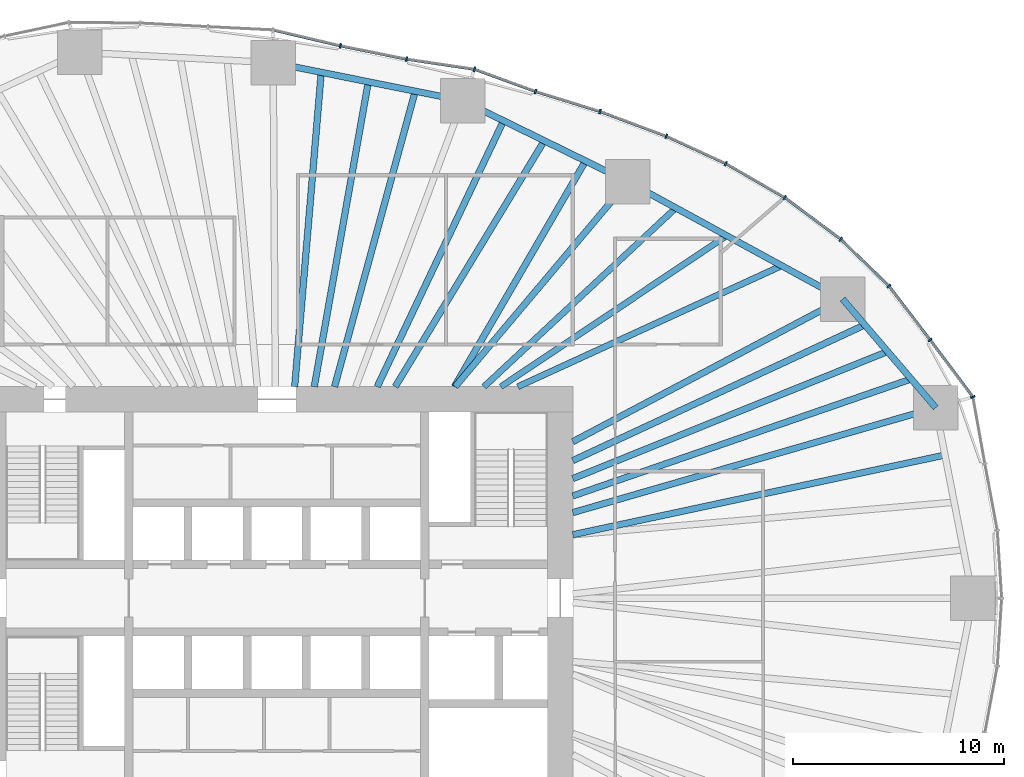
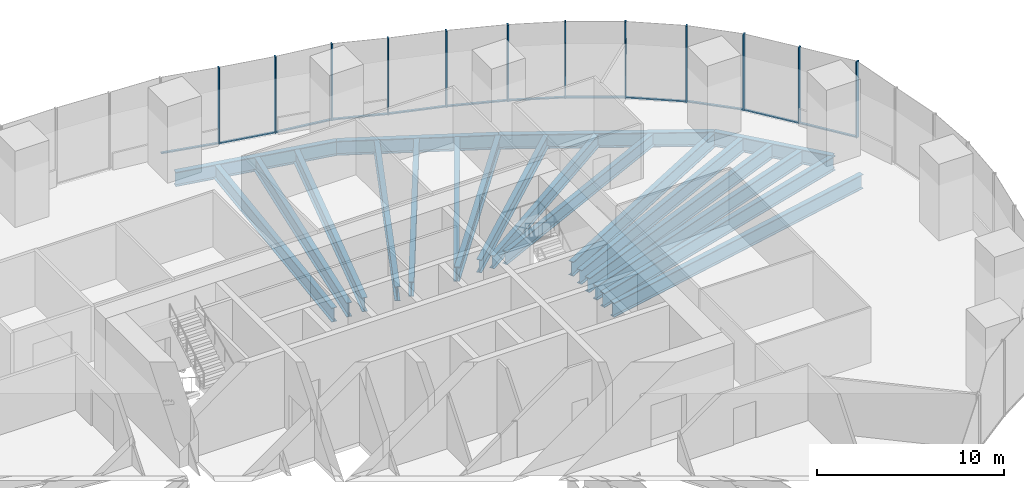
# One storey, part 6 of 20: 24 members, 20 beams, 4 elements without a shape of their own.
"""IFC4 building model written with IfcOpenShell, lengths in metres."""

from ifc_helpers import new_model, si_unit, direction, frame, origin, origin_2d, place, context, subcontext, project, spatial, rectangle, i_section, extrude, material, material_profile, profile_set, type_object, element, aggregate, save


model = new_model("IFC4")

# Units and contexts
model_context = context("Model", 3, precision=1e-05, world=origin(), true_north=direction((0.0, 1.0)))
body_context = subcontext(model_context, "Body", "Model", "MODEL_VIEW")
ifc_project = project(units=[si_unit("LENGTHUNIT", "METRE"), si_unit("AREAUNIT", "SQUARE_METRE"), si_unit("VOLUMEUNIT", "CUBIC_METRE"), si_unit("PLANEANGLEUNIT", "RADIAN"), si_unit("MASSUNIT", "GRAM", prefix="KILO")], contexts=[model_context])

# Site, building, storey
site_placement = place(None, origin())
site = spatial("IfcSite", under=ifc_project, at=site_placement, CompositionType="ELEMENT")
building_placement = place(site_placement, origin())
building = spatial("IfcBuilding", under=site, at=building_placement, Name="Ghaith Harvest Tower", CompositionType="ELEMENT")
storey_placement = place(building_placement, frame((0.0, 0.0, 40.0)))
storey = spatial("IfcBuildingStorey", under=building, at=storey_placement, Name="L08", CompositionType="ELEMENT", Elevation=40.0)

# Curtain wall, members
ifc_material_1 = material(Name="Black anodised aluminium and fritted glass", Category="aluminium")
curtain_wall_type = type_object("IfcCurtainWallType", Name="CW-F CURTAIN WALL", PredefinedType="NOTDEFINED", material=ifc_material_1)
curtain_wall_1_placement = place(storey_placement, origin())
curtain_wall_1 = element("IfcCurtainWall", 1, at=curtain_wall_1_placement, inside=storey, type_object=curtain_wall_type, Name="Curtain wall CW-F bay 02 L08", PredefinedType="NOTDEFINED")
ifc_material_2 = material(Name="Aluminium, black anodised", Category="aluminium")
ifc_material_profile_1 = material_profile(ifc_material_2, rectangle(XDim=0.080078125, YDim=0.219970703125, at=origin_2d()), Name="CW-F MULLION 80x220")
ifc_profile_set_1 = profile_set([ifc_material_profile_1], Name="Aluminium, black anodised")
member_type_1 = type_object("IfcMemberType", Name="CW-F MULLION 80x220", PredefinedType="MULLION", material=ifc_profile_set_1)
member_1_placement = place(storey_placement, frame((32.923583984375, 9.515625, 0.0), z_axis=(0.0, 0.0, 1.0), x_axis=(-0.404701693729, 0.914448762421, 0.0)))
member_1 = element("IfcMember", 2, at=member_1_placement, type_object=member_type_1, Name="CW-F mullion 1 bay 02 L08", PredefinedType="MULLION", context=body_context, shape_type="SweptSolid", body=[
    extrude(rectangle(XDim=0.080078125, YDim=0.219970703125, at=origin_2d()), origin(), (0.0, 0.0, 1.0), 5.0),
])
member_2_placement = place(storey_placement, frame((30.896728515625, 12.215087890625, 0.0), z_axis=(0.0, 0.0, 1.0), x_axis=(-0.603948315345, 0.797023482961, 0.0)))
member_2 = element("IfcMember", 3, at=member_2_placement, type_object=member_type_1, Name="CW-F mullion 2 bay 02 L08", PredefinedType="MULLION", context=body_context, shape_type="SweptSolid", body=[
    extrude(rectangle(XDim=0.080078125, YDim=0.219970703125, at=origin_2d()), origin(), (0.0, 0.0, 1.0), 5.0),
])
member_3_placement = place(storey_placement, frame((28.947021484375, 14.763427734375, 0.0), z_axis=(0.0, 0.0, 1.0), x_axis=(-0.663604797296, 0.748083332929, 0.0)))
member_3 = element("IfcMember", 4, at=member_3_placement, type_object=member_type_1, Name="CW-F mullion 3 bay 02 L08", PredefinedType="MULLION", context=body_context, shape_type="SweptSolid", body=[
    extrude(rectangle(XDim=0.080078125, YDim=0.219970703125, at=origin_2d()), origin(), (0.0, 0.0, 1.0), 5.0),
])

curtain_wall_2_placement = place(storey_placement, origin())
curtain_wall_2 = element("IfcCurtainWall", 5, at=curtain_wall_2_placement, inside=storey, type_object=curtain_wall_type, Name="Curtain wall CW-F bay 03 L08", PredefinedType="NOTDEFINED")
member_4_placement = place(storey_placement, frame((26.673828125, 16.9755859375, 0.0), z_axis=(0.0, 0.0, 1.0), x_axis=(-0.762365981091, 0.647146127915, 0.0)))
member_4 = element("IfcMember", 6, at=member_4_placement, type_object=member_type_1, Name="CW-F mullion 1 bay 03 L08", PredefinedType="MULLION", context=body_context, shape_type="SweptSolid", body=[
    extrude(rectangle(XDim=0.080078125, YDim=0.219970703125, at=origin_2d()), origin(), (0.0, 0.0, 1.0), 5.0),
])
member_5_placement = place(storey_placement, frame((24.018310546875, 18.947265625, 0.0), z_axis=(0.0, 0.0, 1.0), x_axis=(-0.835443516723, 0.549576318963, 0.0)))
member_5 = element("IfcMember", 7, at=member_5_placement, type_object=member_type_1, Name="CW-F mullion 2 bay 03 L08", PredefinedType="MULLION", context=body_context, shape_type="SweptSolid", body=[
    extrude(rectangle(XDim=0.080078125, YDim=0.219970703125, at=origin_2d()), origin(), (0.0, 0.0, 1.0), 5.0),
])
member_6_placement = place(storey_placement, frame((21.2353515625, 20.552978515625, 0.0), z_axis=(0.0, 0.0, 1.0), x_axis=(-0.887896671642, 0.460042933308, 0.0)))
member_6 = element("IfcMember", 8, at=member_6_placement, type_object=member_type_1, Name="CW-F mullion 3 bay 03 L08", PredefinedType="MULLION", context=body_context, shape_type="SweptSolid", body=[
    extrude(rectangle(XDim=0.080078125, YDim=0.219970703125, at=origin_2d()), origin(), (0.0, 0.0, 1.0), 5.0),
])

curtain_wall_3_placement = place(storey_placement, origin())
curtain_wall_3 = element("IfcCurtainWall", 9, at=curtain_wall_3_placement, inside=storey, type_object=curtain_wall_type, Name="Curtain wall CW-F bay 04 L08", PredefinedType="NOTDEFINED")
member_7_placement = place(storey_placement, frame((18.422607421875, 21.8466796875, 0.0), z_axis=(0.0, 0.0, 1.0), x_axis=(-0.923910199252, 0.382609387912, 0.0)))
member_7 = element("IfcMember", 10, at=member_7_placement, type_object=member_type_1, Name="CW-F mullion 1 bay 04 L08", PredefinedType="MULLION", context=body_context, shape_type="SweptSolid", body=[
    extrude(rectangle(XDim=0.080078125, YDim=0.219970703125, at=origin_2d()), origin(), (0.0, 0.0, 1.0), 5.0),
])
member_8_placement = place(storey_placement, frame((15.28759765625, 23.01611328125, 0.0), z_axis=(0.0, 0.0, 1.0), x_axis=(-0.946121020954, 0.323813238933, 0.0)))
member_8 = element("IfcMember", 11, at=member_8_placement, type_object=member_type_1, Name="CW-F mullion 2 bay 04 L08", PredefinedType="MULLION", context=body_context, shape_type="SweptSolid", body=[
    extrude(rectangle(XDim=0.080078125, YDim=0.219970703125, at=origin_2d()), origin(), (0.0, 0.0, 1.0), 5.0),
])
member_9_placement = place(storey_placement, frame((12.234375, 23.964599609375, 0.0), z_axis=(0.0, 0.0, 1.0), x_axis=(-0.947653438436, 0.319300736957, 0.0)))
member_9 = element("IfcMember", 12, at=member_9_placement, type_object=member_type_1, Name="CW-F mullion 3 bay 04 L08", PredefinedType="MULLION", context=body_context, shape_type="SweptSolid", body=[
    extrude(rectangle(XDim=0.080078125, YDim=0.219970703125, at=origin_2d()), origin(), (0.0, 0.0, 1.0), 5.0),
])

curtain_wall_4_placement = place(storey_placement, origin())
curtain_wall_4 = element("IfcCurtainWall", 13, at=curtain_wall_4_placement, inside=storey, type_object=curtain_wall_type, Name="Curtain wall CW-F bay 05 L08", PredefinedType="NOTDEFINED")
member_10_placement = place(storey_placement, frame((9.351806640625, 25.01611328125, 0.0), z_axis=(0.0, 0.0, 1.0), x_axis=(-0.969903429236, 0.243489913461, 0.0)))
member_10 = element("IfcMember", 14, at=member_10_placement, type_object=member_type_1, Name="CW-F mullion 1 bay 05 L08", PredefinedType="MULLION", context=body_context, shape_type="SweptSolid", body=[
    extrude(rectangle(XDim=0.080078125, YDim=0.219970703125, at=origin_2d()), origin(), (0.0, 0.0, 1.0), 5.0),
])
member_11_placement = place(storey_placement, frame((6.136962890625, 25.495361328125, 0.0), z_axis=(0.0, 0.0, 1.0), x_axis=(-0.985103843977, 0.171960508788, 0.0)))
member_11 = element("IfcMember", 15, at=member_11_placement, type_object=member_type_1, Name="CW-F mullion 2 bay 05 L08", PredefinedType="MULLION", context=body_context, shape_type="SweptSolid", body=[
    extrude(rectangle(XDim=0.080078125, YDim=0.219970703125, at=origin_2d()), origin(), (0.0, 0.0, 1.0), 5.0),
])
member_12_placement = place(storey_placement, frame((3.00927734375, 26.123291015625, 0.0), z_axis=(0.0, 0.0, 1.0), x_axis=(-0.976927332869, 0.213571969822, 0.0)))
member_12 = element("IfcMember", 16, at=member_12_placement, type_object=member_type_1, Name="CW-F mullion 3 bay 05 L08", PredefinedType="MULLION", context=body_context, shape_type="SweptSolid", body=[
    extrude(rectangle(XDim=0.080078125, YDim=0.219970703125, at=origin_2d()), origin(), (0.0, 0.0, 1.0), 5.0),
])

# Member
ifc_material_3 = material(Name="Aluminium, black anodised", Category="aluminium")
ifc_material_profile_2 = material_profile(ifc_material_3, rectangle(XDim=0.139892578125, YDim=0.080078125, at=origin_2d()), Name="CW-F TRANSOM 140x80")
ifc_profile_set_2 = profile_set([ifc_material_profile_2], Name="Aluminium, black anodised")
member_type_2 = type_object("IfcMemberType", Name="CW-F TRANSOM 140x80", PredefinedType="USERDEFINED", material=ifc_profile_set_2)
member_13_placement = place(storey_placement, frame((32.899658203125, 9.547607421875, 0.0400390625), z_axis=(-0.600462135687, 0.799653189581, 0.0), x_axis=(-0.799653189581, -0.600462135687, 0.0)))
member_13 = element("IfcMember", 17, at=member_13_placement, type_object=member_type_2, Name="CW-F transom 1 bay 02 L08", ObjectType="TRANSOM", PredefinedType="USERDEFINED", context=body_context, shape_type="SweptSolid", body=[
    extrude(rectangle(XDim=0.139892578125, YDim=0.080078125, at=origin_2d()), origin(), (0.0, 0.0, 1.0), 3.2958984375),
])

member_14_placement = place(storey_placement, frame((30.87255859375, 12.246826171875, 0.0400390625), z_axis=(-0.607638356471, 0.794213842579, 0.0), x_axis=(-0.794213842579, -0.607638356471, 0.0)))
member_14 = element("IfcMember", 18, at=member_14_placement, type_object=member_type_2, Name="CW-F transom 2 bay 02 L08", ObjectType="TRANSOM", PredefinedType="USERDEFINED", context=body_context, shape_type="SweptSolid", body=[
    extrude(rectangle(XDim=0.139892578125, YDim=0.080078125, at=origin_2d()), origin(), (0.0, 0.0, 1.0), 3.128662109375),
])

member_15_placement = place(storey_placement, frame((28.91845703125, 14.791259765625, 0.0400390625), z_axis=(-0.71671313139, 0.697368114623, 0.0), x_axis=(-0.697368114623, -0.71671313139, 0.0)))
member_15 = element("IfcMember", 19, at=member_15_placement, type_object=member_type_2, Name="CW-F transom 3 bay 02 L08", ObjectType="TRANSOM", PredefinedType="USERDEFINED", context=body_context, shape_type="SweptSolid", body=[
    extrude(rectangle(XDim=0.139892578125, YDim=0.080078125, at=origin_2d()), origin(), (0.0, 0.0, 1.0), 3.092041015625),
])

aggregate(curtain_wall_1, [member_1, member_13, member_2, member_14, member_3, member_15])

member_16_placement = place(storey_placement, frame((26.641845703125, 16.999267578125, 0.0400390625), z_axis=(-0.802877287823, 0.596144328748, 0.0), x_axis=(-0.596144328748, -0.802877287823, 0.0)))
member_16 = element("IfcMember", 20, at=member_16_placement, type_object=member_type_2, Name="CW-F transom 1 bay 03 L08", ObjectType="TRANSOM", PredefinedType="USERDEFINED", context=body_context, shape_type="SweptSolid", body=[
    extrude(rectangle(XDim=0.139892578125, YDim=0.080078125, at=origin_2d()), origin(), (0.0, 0.0, 1.0), 3.2275390625),
])

member_17_placement = place(storey_placement, frame((23.983642578125, 18.96728515625, 0.0400390625), z_axis=(-0.866168719914, 0.499751686983, 0.0), x_axis=(-0.499751686983, -0.866168719914, 0.0)))
member_17 = element("IfcMember", 21, at=member_17_placement, type_object=member_type_2, Name="CW-F transom 2 bay 03 L08", ObjectType="TRANSOM", PredefinedType="USERDEFINED", context=body_context, shape_type="SweptSolid", body=[
    extrude(rectangle(XDim=0.139892578125, YDim=0.080078125, at=origin_2d()), origin(), (0.0, 0.0, 1.0), 3.1328125),
])

member_18_placement = place(storey_placement, frame((21.19921875, 20.56982421875, 0.0400390625), z_axis=(-0.908553137239, 0.417769310521, 0.0), x_axis=(-0.417769310521, -0.908553137239, 0.0)))
member_18 = element("IfcMember", 22, at=member_18_placement, type_object=member_type_2, Name="CW-F transom 3 bay 03 L08", ObjectType="TRANSOM", PredefinedType="USERDEFINED", context=body_context, shape_type="SweptSolid", body=[
    extrude(rectangle(XDim=0.139892578125, YDim=0.080078125, at=origin_2d()), origin(), (0.0, 0.0, 1.0), 3.01611328125),
])

aggregate(curtain_wall_2, [member_4, member_16, member_5, member_17, member_6, member_18])

member_19_placement = place(storey_placement, frame((18.385009765625, 21.860595703125, 0.0400390625), z_axis=(-0.936923785579, 0.349533717996, 0.0), x_axis=(-0.349533717996, -0.936923785579, 0.0)))
member_19 = element("IfcMember", 23, at=member_19_placement, type_object=member_type_2, Name="CW-F transom 1 bay 04 L08", ObjectType="TRANSOM", PredefinedType="USERDEFINED", context=body_context, shape_type="SweptSolid", body=[
    extrude(rectangle(XDim=0.139892578125, YDim=0.080078125, at=origin_2d()), origin(), (0.0, 0.0, 1.0), 3.26611328125),
])

member_20_placement = place(storey_placement, frame((15.249267578125, 23.028076171875, 0.0400390625), z_axis=(-0.954998362353, 0.296611071781, 0.0), x_axis=(-0.296611071781, -0.954998362353, 0.0)))
member_20 = element("IfcMember", 24, at=member_20_placement, type_object=member_type_2, Name="CW-F transom 2 bay 04 L08", ObjectType="TRANSOM", PredefinedType="USERDEFINED", context=body_context, shape_type="SweptSolid", body=[
    extrude(rectangle(XDim=0.139892578125, YDim=0.080078125, at=origin_2d()), origin(), (0.0, 0.0, 1.0), 3.1171875),
])

member_21_placement = place(storey_placement, frame((12.19677734375, 23.978271484375, 0.0400390625), z_axis=(-0.939437502081, 0.342720264478, 0.0), x_axis=(-0.342720264478, -0.939437502081, 0.0)))
member_21 = element("IfcMember", 25, at=member_21_placement, type_object=member_type_2, Name="CW-F transom 3 bay 04 L08", ObjectType="TRANSOM", PredefinedType="USERDEFINED", context=body_context, shape_type="SweptSolid", body=[
    extrude(rectangle(XDim=0.139892578125, YDim=0.080078125, at=origin_2d()), origin(), (0.0, 0.0, 1.0), 2.98828125),
])

aggregate(curtain_wall_3, [member_7, member_19, member_8, member_20, member_9, member_21])

member_22_placement = place(storey_placement, frame((9.312255859375, 25.02197265625, 0.0400390625), z_axis=(-0.989078238205, 0.147391447207, 0.0), x_axis=(-0.147391447207, -0.989078238205, 0.0)))
member_22 = element("IfcMember", 26, at=member_22_placement, type_object=member_type_2, Name="CW-F transom 1 bay 05 L08", ObjectType="TRANSOM", PredefinedType="USERDEFINED", context=body_context, shape_type="SweptSolid", body=[
    extrude(rectangle(XDim=0.139892578125, YDim=0.080078125, at=origin_2d()), origin(), (0.0, 0.0, 1.0), 3.17041015625),
])

member_23_placement = place(storey_placement, frame((6.097900390625, 25.503173828125, 0.0400390625), z_axis=(-0.980432471193, 0.196855707129, 0.0), x_axis=(-0.196855707129, -0.980432471193, 0.0)))
member_23 = element("IfcMember", 27, at=member_23_placement, type_object=member_type_2, Name="CW-F transom 2 bay 05 L08", ObjectType="TRANSOM", PredefinedType="USERDEFINED", context=body_context, shape_type="SweptSolid", body=[
    extrude(rectangle(XDim=0.139892578125, YDim=0.080078125, at=origin_2d()), origin(), (0.0, 0.0, 1.0), 3.1103515625),
])

member_24_placement = place(storey_placement, frame((2.97021484375, 26.132568359375, 0.0400390625), z_axis=(-0.973252867589, 0.229736491942, 0.0), x_axis=(-0.229736491942, -0.973252867589, 0.0)))
member_24 = element("IfcMember", 28, at=member_24_placement, type_object=member_type_2, Name="CW-F transom 3 bay 05 L08", ObjectType="TRANSOM", PredefinedType="USERDEFINED", context=body_context, shape_type="SweptSolid", body=[
    extrude(rectangle(XDim=0.139892578125, YDim=0.080078125, at=origin_2d()), origin(), (0.0, 0.0, 1.0), 3.200927734375),
])

aggregate(curtain_wall_4, [member_10, member_22, member_11, member_23, member_12, member_24])

# Beams
ifc_material_4 = material(Name="Steel ASTM A992 Grade 50", Category="steel")
ifc_material_profile_3 = material_profile(ifc_material_4, i_section(OverallWidth=0.306884765625, OverallDepth=0.94189453125, WebThickness=0.022216796875, FlangeThickness=0.039794921875, at=origin_2d()), Name="W920X345")
ifc_profile_set_3 = profile_set([ifc_material_profile_3], Name="Steel ASTM A992 Grade 50")
beam_type_1 = type_object("IfcBeamType", Name="E920-345 W920X345", PredefinedType="SPANDREL", material=ifc_profile_set_3)
beam_1_placement = place(storey_placement, frame((31.166015625, 9.008056640625, -0.6708984375), z_axis=(-0.65056255283, 0.759452674533, 0.0), x_axis=(-0.759452674533, -0.65056255283, 0.0)))
element("IfcBeam", 29, at=beam_1_placement, inside=storey, type_object=beam_type_1, Name="Edge beam E02 L08", PredefinedType="SPANDREL", context=body_context, shape_type="SweptSolid", body=[
    extrude(i_section(OverallWidth=0.306884765625, OverallDepth=0.94189453125, WebThickness=0.022216796875, FlangeThickness=0.039794921875, at=origin_2d()), origin(), (0.0, 0.0, 1.0), 6.7666015625),
])
beam_2_placement = place(storey_placement, frame((26.763916015625, 14.14697265625, -0.6708984375), z_axis=(-0.877588218279, 0.479415184509, 0.0), x_axis=(-0.479415184509, -0.877588218279, 0.0)))
element("IfcBeam", 30, at=beam_2_placement, inside=storey, type_object=beam_type_1, Name="Edge beam E03 L08", PredefinedType="SPANDREL", context=body_context, shape_type="SweptSolid", body=[
    extrude(i_section(OverallWidth=0.306884765625, OverallDepth=0.94189453125, WebThickness=0.022216796875, FlangeThickness=0.039794921875, at=origin_2d()), origin(), (0.0, 0.0, 1.0), 11.57275390625),
])
beam_3_placement = place(storey_placement, frame((16.60791015625, 19.695068359375, -0.6708984375), z_axis=(-0.897823733825, 0.440355019252, 0.0), x_axis=(-0.440355019252, -0.897823733825, 0.0)))
element("IfcBeam", 31, at=beam_3_placement, inside=storey, type_object=beam_type_1, Name="Edge beam E04 L08", PredefinedType="SPANDREL", context=body_context, shape_type="SweptSolid", body=[
    extrude(i_section(OverallWidth=0.306884765625, OverallDepth=0.94189453125, WebThickness=0.022216796875, FlangeThickness=0.039794921875, at=origin_2d()), origin(), (0.0, 0.0, 1.0), 8.7021484375),
])
beam_4_placement = place(storey_placement, frame((8.794921875, 23.527099609375, -0.6708984375), z_axis=(-0.980450082464, 0.196767974517, 0.0), x_axis=(-0.196767974517, -0.980450082464, 0.0)))
element("IfcBeam", 32, at=beam_4_placement, inside=storey, type_object=beam_type_1, Name="Edge beam E05 L08", PredefinedType="SPANDREL", context=body_context, shape_type="SweptSolid", body=[
    extrude(i_section(OverallWidth=0.306884765625, OverallDepth=0.94189453125, WebThickness=0.022216796875, FlangeThickness=0.039794921875, at=origin_2d()), origin(), (0.0, 0.0, 1.0), 9.146728515625),
])
ifc_material_5 = material(Name="Steel ASTM A992 Grade 50", Category="steel")
ifc_material_profile_4 = material_profile(ifc_material_5, i_section(OverallWidth=0.306884765625, OverallDepth=0.94189453125, WebThickness=0.022216796875, FlangeThickness=0.039794921875, at=origin_2d()), Name="W920X345")
ifc_profile_set_4 = profile_set([ifc_material_profile_4], Name="Steel ASTM A992 Grade 50")
beam_type_2 = type_object("IfcBeamType", Name="G920-345 W920X345", PredefinedType="BEAM", material=ifc_profile_set_4)
beam_5_placement = place(storey_placement, frame((14.0, 4.04638671875, -0.6708984375), z_axis=(0.960675395102, 0.277673882903, 0.0), x_axis=(-0.277673882903, 0.960675395102, 0.0)))
element("IfcBeam", 33, at=beam_5_placement, inside=storey, type_object=beam_type_2, Name="Radial girder G02 L08", PredefinedType="BEAM", context=body_context, shape_type="SweptSolid", body=[
    extrude(i_section(OverallWidth=0.306884765625, OverallDepth=0.94189453125, WebThickness=0.022216796875, FlangeThickness=0.039794921875, at=origin_2d()), origin(), (0.0, 0.0, 1.0), 17.86865234375),
])
beam_6_placement = place(storey_placement, frame((14.0, 7.39990234375, -0.6708984375), z_axis=(0.884082663971, 0.467330550324, 0.0), x_axis=(-0.467330550324, 0.884082663971, 0.0)))
element("IfcBeam", 34, at=beam_6_placement, inside=storey, type_object=beam_type_2, Name="Radial girder G03 L08", PredefinedType="BEAM", context=body_context, shape_type="SweptSolid", body=[
    extrude(i_section(OverallWidth=0.306884765625, OverallDepth=0.94189453125, WebThickness=0.022216796875, FlangeThickness=0.039794921875, at=origin_2d()), origin(), (0.0, 0.0, 1.0), 14.4375),
])
beam_7_placement = place(storey_placement, frame((8.4326171875, 10.0, -0.6708984375), z_axis=(0.644644245772, 0.764482698557, 0.0), x_axis=(-0.764482698557, 0.644644245772, 0.0)))
element("IfcBeam", 35, at=beam_7_placement, inside=storey, type_object=beam_type_2, Name="Radial girder G04 L08", PredefinedType="BEAM", context=body_context, shape_type="SweptSolid", body=[
    extrude(i_section(OverallWidth=0.306884765625, OverallDepth=0.94189453125, WebThickness=0.022216796875, FlangeThickness=0.039794921875, at=origin_2d()), origin(), (0.0, 0.0, 1.0), 12.681884765625),
])
ifc_material_6 = material(Name="Steel ASTM A992 Grade 50", Category="steel")
ifc_material_profile_5 = material_profile(ifc_material_6, i_section(OverallWidth=0.2939453125, OverallDepth=0.85107421875, WebThickness=0.01611328125, FlangeThickness=0.02685546875, at=origin_2d()), Name="W840X226")
ifc_profile_set_5 = profile_set([ifc_material_profile_5], Name="Steel ASTM A992 Grade 50")
beam_type_3 = type_object("IfcBeamType", Name="J840-226 W840X226", PredefinedType="JOIST", material=ifc_profile_set_5)
beam_8_placement = place(storey_placement, frame((11.39990234375, 10.0, -0.62548828125), z_axis=(0.909014022454, 0.416765529983, 0.0), x_axis=(-0.416765529983, 0.909014022454, 0.0)))
element("IfcBeam", 36, at=beam_8_placement, inside=storey, type_object=beam_type_3, Name="Joist J03.1 L08", PredefinedType="JOIST", context=body_context, shape_type="SweptSolid", body=[
    extrude(i_section(OverallWidth=0.2939453125, OverallDepth=0.85107421875, WebThickness=0.01611328125, FlangeThickness=0.02685546875, at=origin_2d()), origin(), (0.0, 0.0, 1.0), 13.72998046875),
])
beam_9_placement = place(storey_placement, frame((10.60009765625, 10.0, -0.62548828125), z_axis=(0.831116486766, 0.556098359489, 0.0), x_axis=(-0.556098359489, 0.831116486766, 0.0)))
element("IfcBeam", 37, at=beam_9_placement, inside=storey, type_object=beam_type_3, Name="Joist J03.2 L08", PredefinedType="JOIST", context=body_context, shape_type="SweptSolid", body=[
    extrude(i_section(OverallWidth=0.2939453125, OverallDepth=0.85107421875, WebThickness=0.01611328125, FlangeThickness=0.02685546875, at=origin_2d()), origin(), (0.0, 0.0, 1.0), 12.84716796875),
])
beam_10_placement = place(storey_placement, frame((9.800048828125, 10.0, -0.62548828125), z_axis=(0.731538123562, 0.681800538116, 0.0), x_axis=(-0.681800538116, 0.731538123562, 0.0)))
element("IfcBeam", 38, at=beam_10_placement, inside=storey, type_object=beam_type_3, Name="Joist J03.3 L08", PredefinedType="JOIST", context=body_context, shape_type="SweptSolid", body=[
    extrude(i_section(OverallWidth=0.2939453125, OverallDepth=0.85107421875, WebThickness=0.01611328125, FlangeThickness=0.02685546875, at=origin_2d()), origin(), (0.0, 0.0, 1.0), 12.404052734375),
])
ifc_material_7 = material(Name="Steel ASTM A992 Grade 50", Category="steel")
ifc_material_profile_6 = material_profile(ifc_material_7, i_section(OverallWidth=0.31005859375, OverallDepth=0.927001953125, WebThickness=0.019287109375, FlangeThickness=0.031982421875, at=origin_2d()), Name="W920X289")
ifc_profile_set_6 = profile_set([ifc_material_profile_6], Name="Steel ASTM A992 Grade 50")
beam_type_4 = type_object("IfcBeamType", Name="J920-289 W920X289", PredefinedType="JOIST", material=ifc_profile_set_6)
beam_11_placement = place(storey_placement, frame((14.0, 6.506103515625, -0.66357421875), z_axis=(0.906862619792, 0.421426374144, 0.0), x_axis=(-0.421426374144, 0.906862619792, 0.0)))
element("IfcBeam", 39, at=beam_11_placement, inside=storey, type_object=beam_type_4, Name="Joist J02.3 L08", PredefinedType="JOIST", context=body_context, shape_type="SweptSolid", body=[
    extrude(i_section(OverallWidth=0.31005859375, OverallDepth=0.927001953125, WebThickness=0.019287109375, FlangeThickness=0.031982421875, at=origin_2d()), origin(), (0.0, 0.0, 1.0), 15.229736328125),
])
beam_12_placement = place(storey_placement, frame((8.39990234375, 10.0, -0.66357421875), z_axis=(0.50228574324, 0.864701701246, 0.0), x_axis=(-0.864701701246, 0.50228574324, 0.0)))
element("IfcBeam", 40, at=beam_12_placement, inside=storey, type_object=beam_type_4, Name="Joist J04.1 L08", PredefinedType="JOIST", context=body_context, shape_type="SweptSolid", body=[
    extrude(i_section(OverallWidth=0.31005859375, OverallDepth=0.927001953125, WebThickness=0.019287109375, FlangeThickness=0.031982421875, at=origin_2d()), origin(), (0.0, 0.0, 1.0), 12.349365234375),
])
beam_13_placement = place(storey_placement, frame((5.60009765625, 10.0, -0.66357421875), z_axis=(0.518319612023, 0.85518698528, 0.0), x_axis=(-0.85518698528, 0.518319612023, 0.0)))
element("IfcBeam", 41, at=beam_13_placement, inside=storey, type_object=beam_type_4, Name="Joist J04.2 L08", PredefinedType="JOIST", context=body_context, shape_type="SweptSolid", body=[
    extrude(i_section(OverallWidth=0.31005859375, OverallDepth=0.927001953125, WebThickness=0.019287109375, FlangeThickness=0.031982421875, at=origin_2d()), origin(), (0.0, 0.0, 1.0), 13.60546875),
])
beam_14_placement = place(storey_placement, frame((4.75, 10.0, -0.66357421875), z_axis=(0.429059675117, 0.903276145588, 0.0), x_axis=(-0.903276145588, 0.429059675117, 0.0)))
element("IfcBeam", 42, at=beam_14_placement, inside=storey, type_object=beam_type_4, Name="Joist J04.3 L08", PredefinedType="JOIST", context=body_context, shape_type="SweptSolid", body=[
    extrude(i_section(OverallWidth=0.31005859375, OverallDepth=0.927001953125, WebThickness=0.019287109375, FlangeThickness=0.031982421875, at=origin_2d()), origin(), (0.0, 0.0, 1.0), 13.92724609375),
])
beam_15_placement = place(storey_placement, frame((2.73095703125, 10.0, -0.66357421875), z_axis=(0.263455282447, 0.964671609487, 0.0), x_axis=(-0.964671609487, 0.263455282447, 0.0)))
element("IfcBeam", 43, at=beam_15_placement, inside=storey, type_object=beam_type_4, Name="Joist J05.1 L08", PredefinedType="JOIST", context=body_context, shape_type="SweptSolid", body=[
    extrude(i_section(OverallWidth=0.31005859375, OverallDepth=0.927001953125, WebThickness=0.019287109375, FlangeThickness=0.031982421875, at=origin_2d()), origin(), (0.0, 0.0, 1.0), 14.48974609375),
])
beam_16_placement = place(storey_placement, frame((1.772705078125, 10.0, -0.66357421875), z_axis=(0.174552574354, 0.984647855218, 0.0), x_axis=(-0.984647855218, 0.174552574354, 0.0)))
element("IfcBeam", 44, at=beam_16_placement, inside=storey, type_object=beam_type_4, Name="Joist J05.2 L08", PredefinedType="JOIST", context=body_context, shape_type="SweptSolid", body=[
    extrude(i_section(OverallWidth=0.31005859375, OverallDepth=0.927001953125, WebThickness=0.019287109375, FlangeThickness=0.031982421875, at=origin_2d()), origin(), (0.0, 0.0, 1.0), 14.648193359375),
])
beam_17_placement = place(storey_placement, frame((0.844970703125, 10.0, -0.66357421875), z_axis=(0.084219252187, 0.996447247756, 0.0), x_axis=(-0.996447247756, 0.084219252187, 0.0)))
element("IfcBeam", 45, at=beam_17_placement, inside=storey, type_object=beam_type_4, Name="Joist J05.3 L08", PredefinedType="JOIST", context=body_context, shape_type="SweptSolid", body=[
    extrude(i_section(OverallWidth=0.31005859375, OverallDepth=0.927001953125, WebThickness=0.019287109375, FlangeThickness=0.031982421875, at=origin_2d()), origin(), (0.0, 0.0, 1.0), 14.92333984375),
])
ifc_material_8 = material(Name="Steel ASTM A992 Grade 50", Category="steel")
ifc_material_profile_7 = material_profile(ifc_material_8, i_section(OverallWidth=0.306884765625, OverallDepth=0.94189453125, WebThickness=0.022216796875, FlangeThickness=0.039794921875, at=origin_2d()), Name="W920X345")
ifc_profile_set_7 = profile_set([ifc_material_profile_7], Name="Steel ASTM A992 Grade 50")
beam_type_5 = type_object("IfcBeamType", Name="J920-345 W920X345", PredefinedType="JOIST", material=ifc_profile_set_7)
beam_18_placement = place(storey_placement, frame((14.0, 3.0, -0.6708984375), z_axis=(0.977831380626, 0.209393865869, 0.0), x_axis=(-0.209393865869, 0.977831380626, 0.0)))
element("IfcBeam", 46, at=beam_18_placement, inside=storey, type_object=beam_type_5, Name="Joist J01.3 L08", PredefinedType="JOIST", context=body_context, shape_type="SweptSolid", body=[
    extrude(i_section(OverallWidth=0.306884765625, OverallDepth=0.94189453125, WebThickness=0.022216796875, FlangeThickness=0.039794921875, at=origin_2d()), origin(), (0.0, 0.0, 1.0), 18.002197265625),
])
beam_19_placement = place(storey_placement, frame((14.0, 4.835693359375, -0.6708984375), z_axis=(0.945204767809, 0.326478095607, 0.0), x_axis=(-0.326478095607, 0.945204767809, 0.0)))
element("IfcBeam", 47, at=beam_19_placement, inside=storey, type_object=beam_type_5, Name="Joist J02.1 L08", PredefinedType="JOIST", context=body_context, shape_type="SweptSolid", body=[
    extrude(i_section(OverallWidth=0.306884765625, OverallDepth=0.94189453125, WebThickness=0.022216796875, FlangeThickness=0.039794921875, at=origin_2d()), origin(), (0.0, 0.0, 1.0), 16.932373046875),
])
beam_20_placement = place(storey_placement, frame((14.0, 5.653564453125, -0.6708984375), z_axis=(0.927252192145, 0.374437407536, 0.0), x_axis=(-0.374437407536, 0.927252192145, 0.0)))
element("IfcBeam", 48, at=beam_20_placement, inside=storey, type_object=beam_type_5, Name="Joist J02.2 L08", PredefinedType="JOIST", context=body_context, shape_type="SweptSolid", body=[
    extrude(i_section(OverallWidth=0.306884765625, OverallDepth=0.94189453125, WebThickness=0.022216796875, FlangeThickness=0.039794921875, at=origin_2d()), origin(), (0.0, 0.0, 1.0), 16.057373046875),
])

save(model, "model.ifc")
